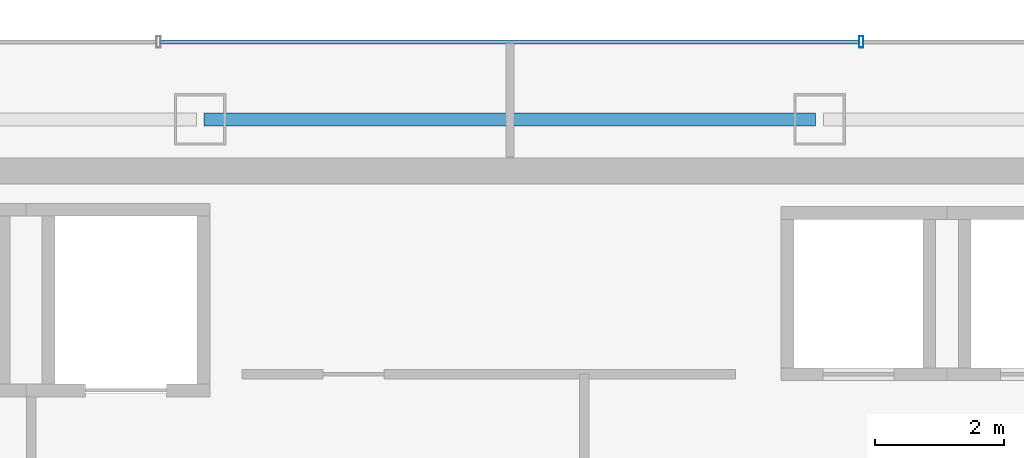
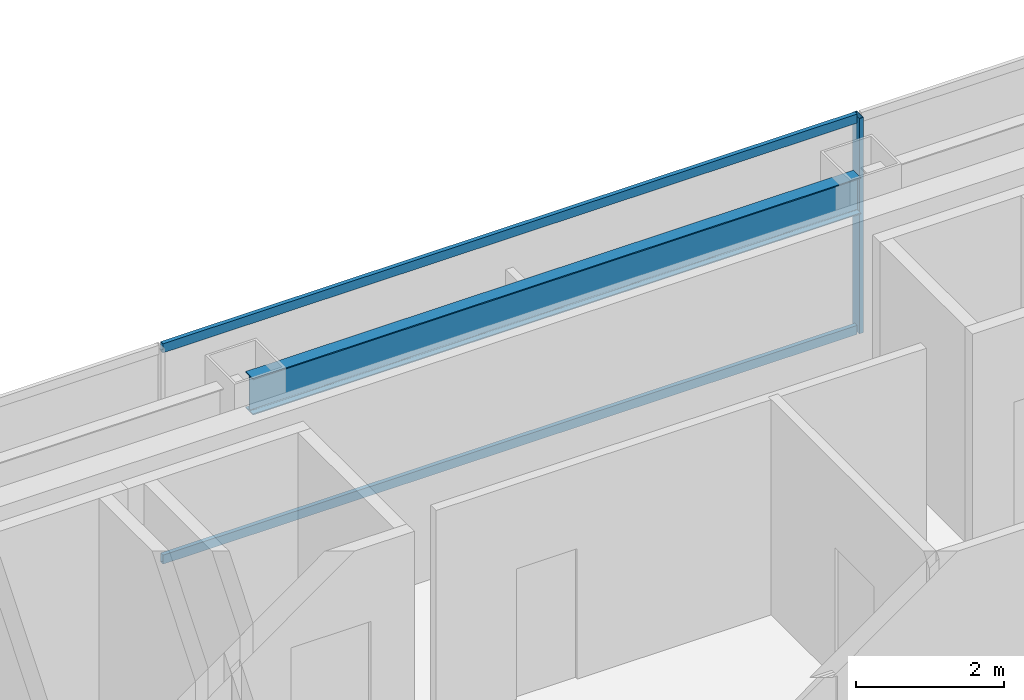
# One storey, part 21 of 33: 3 members, 1 beam, 1 element without a shape of its own.
"""IFC4 building model written with IfcOpenShell, lengths in metres."""

from ifc_helpers import new_model, si_unit, direction, frame, origin, origin_2d, place, context, subcontext, project, spatial, hollow_rectangle, i_section, extrude, material, material_profile, profile_set, type_object, element, aggregate, save


model = new_model("IFC4")

# Units and contexts
model_context = context("Model", 3, precision=1e-05, world=origin(), true_north=direction((0.0, 1.0)))
body_context = subcontext(model_context, "Body", "Model", "MODEL_VIEW")
ifc_project = project(units=[si_unit("LENGTHUNIT", "METRE"), si_unit("AREAUNIT", "SQUARE_METRE"), si_unit("VOLUMEUNIT", "CUBIC_METRE"), si_unit("PLANEANGLEUNIT", "RADIAN"), si_unit("MASSUNIT", "GRAM", prefix="KILO")], contexts=[model_context])

# Site, building, storey
site_placement = place(None, origin())
site = spatial("IfcSite", under=ifc_project, at=site_placement, CompositionType="ELEMENT")
building_placement = place(site_placement, origin())
building = spatial("IfcBuilding", under=site, at=building_placement, Name="Saevonmaru Cultural Tower", CompositionType="ELEMENT")
storey_placement = place(building_placement, frame((0.0, 0.0, 238.199951171875)))
storey = spatial("IfcBuildingStorey", under=building, at=storey_placement, Name="L55", CompositionType="ELEMENT", Elevation=238.199951171875)

# Beam
ifc_material_1 = material(Name="Steel SM355", Category="steel")
ifc_material_profile_1 = material_profile(ifc_material_1, i_section(OverallWidth=0.199951171875, OverallDepth=0.60009765625, WebThickness=0.010986328125, FlangeThickness=0.01708984375, FilletRadius=0.02197265625, at=origin_2d()), Name="H-600x200x11x17")
ifc_profile_set_1 = profile_set([ifc_material_profile_1], Name="Steel SM355")
beam_type = type_object("IfcBeamType", Name="BM-SP-H600", PredefinedType="SPANDREL", material=ifc_profile_set_1)
beam_placement = place(storey_placement, frame((25.260009765625, 54.800048828125, 3.25), z_axis=(1.0, 0.0, 0.0), x_axis=(0.0, 1.0, 0.0)))
element("IfcBeam", 1, at=beam_placement, inside=storey, type_object=beam_type, Name="L55 North Spine Girder 3", PredefinedType="SPANDREL", context=body_context, shape_type="SweptSolid", body=[
    extrude(i_section(OverallWidth=0.199951171875, OverallDepth=0.60009765625, WebThickness=0.010986328125, FlangeThickness=0.01708984375, FilletRadius=0.02197265625, at=origin_2d()), origin(), (0.0, 0.0, 1.0), 9.47998046875),
])

# Curtain wall, members
ifc_material_2 = material(Name="Satin Bronze Anodised Aluminium", Category="aluminium")
curtain_wall_type = type_object("IfcCurtainWallType", Name="CW-TYP-B", PredefinedType="NOTDEFINED", material=ifc_material_2)
curtain_wall_placement = place(storey_placement, origin())
curtain_wall = element("IfcCurtainWall", 2, at=curtain_wall_placement, inside=storey, type_object=curtain_wall_type, Name="L55 North Spine Unitised Curtain Wall E10B", PredefinedType="NOTDEFINED")
ifc_material_profile_2 = material_profile(ifc_material_2, hollow_rectangle(XDim=0.06494140625, YDim=0.179931640625, WallThickness=0.00390625, at=origin_2d()), Name="ALU-MULL-180x65x4")
ifc_profile_set_2 = profile_set([ifc_material_profile_2], Name="Satin Bronze Anodised Aluminium")
member_type_1 = type_object("IfcMemberType", Name="ML-CW-180x65", PredefinedType="MULLION", material=ifc_profile_set_2)
member_1_placement = place(storey_placement, frame((35.44677734375, 56.0, 0.0), z_axis=(0.0, 0.0, 1.0), x_axis=(-1.0, 0.0, 0.0)))
member_1 = element("IfcMember", 3, at=member_1_placement, type_object=member_type_1, Name="CW-TW-L55-E10B mullion 2", PredefinedType="MULLION", context=body_context, shape_type="SweptSolid", body=[
    extrude(hollow_rectangle(XDim=0.06494140625, YDim=0.179931640625, WallThickness=0.00390625, at=origin_2d()), origin(), (0.0, 0.0, 1.0), 3.550048828125),
])
ifc_material_profile_3 = material_profile(ifc_material_2, hollow_rectangle(XDim=0.06494140625, YDim=0.14990234375, WallThickness=0.00390625, at=origin_2d()), Name="ALU-TRAN-150x65x4")
ifc_profile_set_3 = profile_set([ifc_material_profile_3], Name="Satin Bronze Anodised Aluminium")
member_type_2 = type_object("IfcMemberType", Name="TR-CW-150x65", PredefinedType="USERDEFINED", material=ifc_profile_set_3)
member_2_placement = place(storey_placement, frame((35.4140625, 56.0, 0.032470703125), z_axis=(-1.0, 0.0, 0.0), x_axis=(0.0, -1.0, 0.0)))
member_2 = element("IfcMember", 4, at=member_2_placement, type_object=member_type_2, Name="CW-TW-L55-E10B transom 2.1", ObjectType="TRANSOM", PredefinedType="USERDEFINED", context=body_context, shape_type="SweptSolid", body=[
    extrude(hollow_rectangle(XDim=0.06494140625, YDim=0.14990234375, WallThickness=0.00390625, at=origin_2d()), origin(), (0.0, 0.0, 1.0), 10.828125),
])
member_3_placement = place(storey_placement, frame((35.4140625, 56.0, 3.517578125), z_axis=(-1.0, 0.0, 0.0), x_axis=(0.0, -1.0, 0.0)))
member_3 = element("IfcMember", 5, at=member_3_placement, type_object=member_type_2, Name="CW-TW-L55-E10B transom 2.2", ObjectType="TRANSOM", PredefinedType="USERDEFINED", context=body_context, shape_type="SweptSolid", body=[
    extrude(hollow_rectangle(XDim=0.06494140625, YDim=0.14990234375, WallThickness=0.00390625, at=origin_2d()), origin(), (0.0, 0.0, 1.0), 10.828125),
])
aggregate(curtain_wall, [member_1, member_2, member_3])

save(model, "model.ifc")
